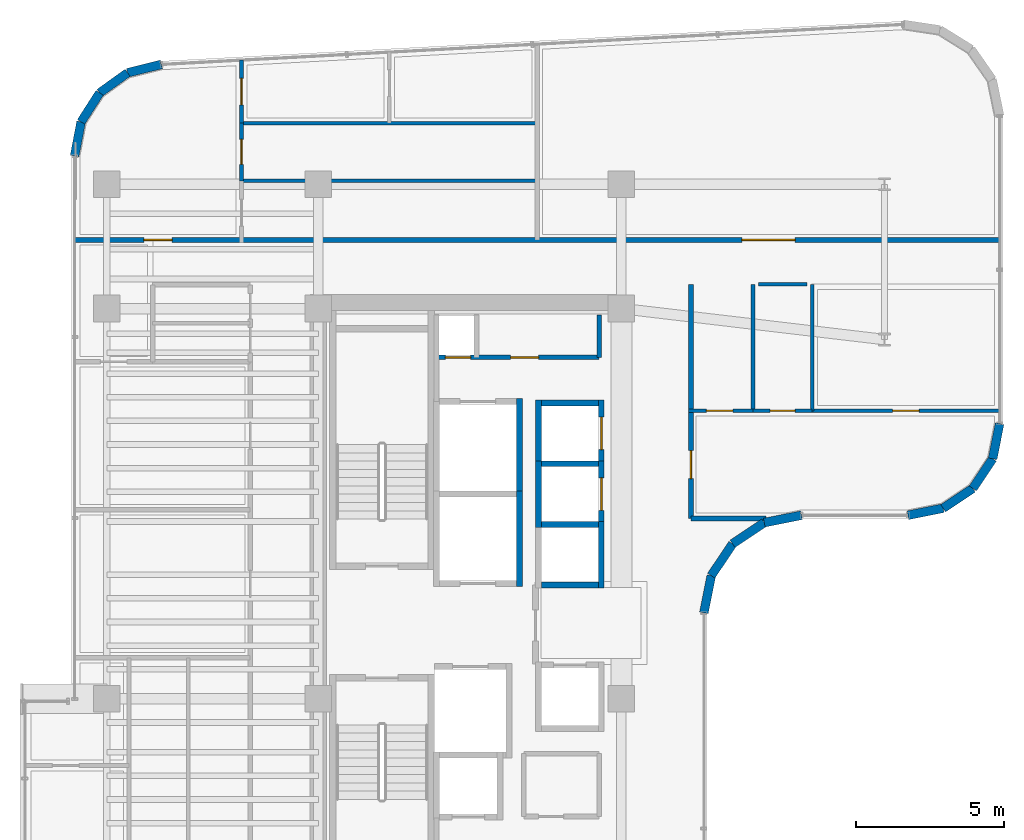
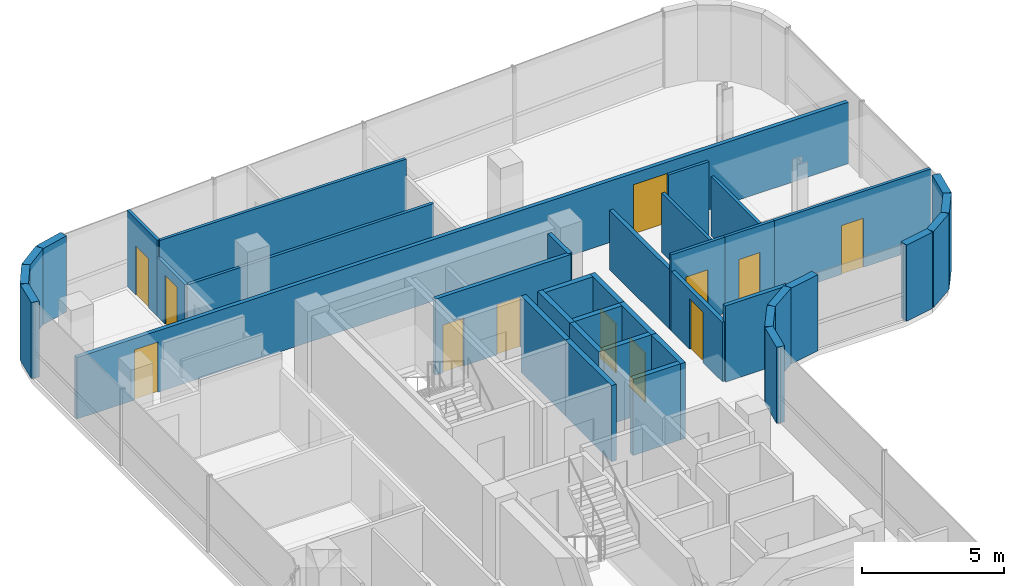
# One storey, part 20 of 24: 38 walls, 12 doors, 12 openings.
"""IFC4 building model written with IfcOpenShell, lengths in metres."""

from ifc_helpers import new_model, si_unit, direction, frame, frame_2d, origin, place, context, subcontext, project, spatial, rectangle, extrude, material, layer, layer_set, type_object, element, fill, save


model = new_model("IFC4")

# Units and contexts
model_context = context("Model", 3, precision=1e-05, world=origin(), true_north=direction((0.0, 1.0)))
body_context = subcontext(model_context, "Body", "Model", "MODEL_VIEW")
ifc_project = project(units=[si_unit("LENGTHUNIT", "METRE"), si_unit("AREAUNIT", "SQUARE_METRE"), si_unit("VOLUMEUNIT", "CUBIC_METRE"), si_unit("PLANEANGLEUNIT", "RADIAN"), si_unit("MASSUNIT", "GRAM", prefix="KILO")], contexts=[model_context])

# Site, building, storey
site_placement = place(None, origin())
site = spatial("IfcSite", under=ifc_project, at=site_placement, CompositionType="ELEMENT")
building_placement = place(site_placement, origin())
building = spatial("IfcBuilding", under=site, at=building_placement, Name="Valdorenza Pilgrim Sanctuary Tower", CompositionType="ELEMENT")
storey_placement = place(building_placement, frame((0.0, 0.0, 205.5)))
storey = spatial("IfcBuildingStorey", under=building, at=storey_placement, Name="L52", CompositionType="ELEMENT", Elevation=205.5)

# Wall, openings, doors
ifc_material_1 = material(Name="Acoustic twin-stud gypsum partition", Category="gypsum")
ifc_layer_1 = layer(ifc_material_1, 0.159912109375, Name="Acoustic twin-stud gypsum partition")
ifc_layer_set_1 = layer_set([ifc_layer_1], Name="Acoustic twin-stud gypsum partition")
wall_type_1 = type_object("IfcWallType", Name="WAL-COR-160", PredefinedType="PARTITIONING", material=ifc_layer_set_1)
wall_1_placement = place(storey_placement, frame((-18.64990234375, 8.949951171875, 0.0), z_axis=(0.0, 0.0, 1.0), x_axis=(1.0, 0.0, 0.0)))
wall_1 = element("IfcWall", 1, at=wall_1_placement, inside=storey, type_object=wall_type_1, Name="L52 Core A North Service South Wall", PredefinedType="PARTITIONING", context=body_context, shape_type="SweptSolid", body=[
    extrude(rectangle(XDim=5.5, YDim=0.159912109375, at=frame_2d((2.75, 0.0))), origin(), (0.0, 0.0, 1.0), 3.260009765625),
])
opening_1_placement = place(wall_1_placement, frame((0.300048828125, 0.0, 0.0)))
opening_1 = element("IfcOpeningElement", 2, at=opening_1_placement, cuts=wall_1, Name="Opening DR-RS1", PredefinedType="OPENING", context=body_context, shape_type="SweptSolid", body=[
    extrude(rectangle(XDim=0.85009765625, YDim=2.050048828125, at=frame_2d((0.425048828125, 1.02490234375))), frame((0.0, 0.0947265625, 0.0), z_axis=(0.0, -1.0, 0.0), x_axis=(1.0, 0.0, 0.0)), (0.0, 0.0, 1.0), 0.189697265625),
])
opening_2_placement = place(wall_1_placement, frame((2.5, 0.0, 0.0)))
opening_2 = element("IfcOpeningElement", 3, at=opening_2_placement, cuts=wall_1, Name="Opening DR-UN1", PredefinedType="OPENING", context=body_context, shape_type="SweptSolid", body=[
    extrude(rectangle(XDim=0.949951171875, YDim=2.14990234375, at=frame_2d((0.47509765625, 1.074951171875))), frame((0.0, 0.0947265625, 0.0), z_axis=(0.0, -1.0, 0.0), x_axis=(1.0, 0.0, 0.0)), (0.0, 0.0, 1.0), 0.189697265625),
])
ifc_material_2 = material(Name="Painted galvanized steel", Category="steel")
door_type_1 = type_object("IfcDoorType", Name="DR-RSR-850", OperationType="NOTDEFINED", PredefinedType="DOOR", material=ifc_material_2)
door_1_placement = place(opening_1_placement, origin())
door_1 = element("IfcDoor", 4, at=door_1_placement, inside=storey, type_object=door_type_1, Name="L52 Core Electrical and Telecom Riser Door", OperationType="SINGLE_SWING_LEFT", OverallHeight=2.050048828125, OverallWidth=0.85009765625, PredefinedType="DOOR", context=body_context, shape_type="SweptSolid", body=[
    extrude(rectangle(XDim=0.85009765625, YDim=2.050048828125, at=frame_2d((0.425048828125, 1.02490234375))), frame((0.0, 0.02490234375, 0.0), z_axis=(0.0, -1.0, 0.0), x_axis=(1.0, 0.0, 0.0)), (0.0, 0.0, 1.0), 0.050048828125),
])
fill(opening_1, door_1)
ifc_material_3 = material(Name="Solid-core European oak timber", Category="wood")
door_type_2 = type_object("IfcDoorType", Name="DR-UNIT-950", OperationType="NOTDEFINED", PredefinedType="DOOR", material=ifc_material_3)
door_2_placement = place(opening_2_placement, origin())
door_2 = element("IfcDoor", 5, at=door_2_placement, inside=storey, type_object=door_type_2, Name="L52 Housekeeping and Clean Linen Room Door", OperationType="SINGLE_SWING_RIGHT", OverallHeight=2.14990234375, OverallWidth=0.949951171875, PredefinedType="DOOR", context=body_context, shape_type="SweptSolid", body=[
    extrude(rectangle(XDim=0.949951171875, YDim=2.14990234375, at=frame_2d((0.47509765625, 1.074951171875))), frame((0.0, 0.02490234375, 0.0), z_axis=(0.0, -1.0, 0.0), x_axis=(1.0, 0.0, 0.0)), (0.0, 0.0, 1.0), 0.050048828125),
])
fill(opening_2, door_2)

# Wall
wall_2_placement = place(storey_placement, frame((-13.14990234375, 8.949951171875, 0.0), z_axis=(0.0, 0.0, 1.0), x_axis=(0.0, 1.0, 0.0)))
element("IfcWall", 6, at=wall_2_placement, inside=storey, type_object=wall_type_1, Name="L52 Core A North Service East Wall", PredefinedType="PARTITIONING", context=body_context, shape_type="SweptSolid", body=[
    extrude(rectangle(XDim=1.429931640625, YDim=0.159912109375, at=frame_2d((0.71484375, 0.0))), origin(), (0.0, 0.0, 1.0), 3.260009765625),
])

# Wall, openings, doors
wall_3_placement = place(storey_placement, frame((-30.889892578125, 12.919921875, 0.0), z_axis=(0.0, 0.0, 1.0), x_axis=(1.0, 0.0, 0.0)))
wall_3 = element("IfcWall", 7, at=wall_3_placement, inside=storey, type_object=wall_type_1, Name="L52 North Corridor Wall", PredefinedType="PARTITIONING", context=body_context, shape_type="SweptSolid", body=[
    extrude(rectangle(XDim=31.27978515625, YDim=0.159912109375, at=frame_2d((15.639892578125, 0.0))), origin(), (0.0, 0.0, 1.0), 2.634033203125),
])
opening_3_placement = place(wall_3_placement, frame((2.346923828125, 0.0, 0.0)))
opening_3 = element("IfcOpeningElement", 8, at=opening_3_placement, cuts=wall_3, Name="Opening DR-UN1", PredefinedType="OPENING", context=body_context, shape_type="SweptSolid", body=[
    extrude(rectangle(XDim=0.949951171875, YDim=2.14990234375, at=frame_2d((0.47509765625, 1.074951171875))), frame((0.0, 0.0947265625, 0.0), z_axis=(0.0, -1.0, 0.0), x_axis=(1.0, 0.0, 0.0)), (0.0, 0.0, 1.0), 0.189697265625),
])
opening_4_placement = place(wall_3_placement, frame((22.56005859375, 0.0, 0.0)))
opening_4 = element("IfcOpeningElement", 9, at=opening_4_placement, cuts=wall_3, Name="Opening DR-HL1", PredefinedType="OPENING", context=body_context, shape_type="SweptSolid", body=[
    extrude(rectangle(XDim=1.800048828125, YDim=2.14990234375, at=frame_2d((0.89990234375, 1.074951171875))), frame((0.0, 0.0947265625, 0.0), z_axis=(0.0, -1.0, 0.0), x_axis=(1.0, 0.0, 0.0)), (0.0, 0.0, 1.0), 0.189697265625),
])
ifc_material_4 = material(Name="Acoustic oak and vision-glass double door", Category="glass")
door_type_3 = type_object("IfcDoorType", Name="DR-HALL-1800", OperationType="NOTDEFINED", PredefinedType="DOOR", material=ifc_material_4)
door_3_placement = place(opening_4_placement, frame((1.800048828125, 0.0, 0.0), z_axis=(0.0, 0.0, 1.0), x_axis=(-1.0, 0.0, 0.0)))
door_3 = element("IfcDoor", 10, at=door_3_placement, inside=storey, type_object=door_type_3, Name="L52 Sacred Archive Reading Library L52-N2 Door", OperationType="DOUBLE_DOOR_SINGLE_SWING", OverallHeight=2.14990234375, OverallWidth=1.800048828125, PredefinedType="DOOR", context=body_context, shape_type="SweptSolid", body=[
    extrude(rectangle(XDim=1.800048828125, YDim=2.14990234375, at=frame_2d((0.89990234375, 1.074951171875))), frame((0.0, 0.02490234375, 0.0), z_axis=(0.0, -1.0, 0.0), x_axis=(1.0, 0.0, 0.0)), (0.0, 0.0, 1.0), 0.050048828125),
])
fill(opening_4, door_3)
door_4_placement = place(opening_3_placement, origin())
door_4 = element("IfcDoor", 11, at=door_4_placement, inside=storey, type_object=door_type_2, Name="L52 North Grand Residence L52-N1 Entrance Door", OperationType="SINGLE_SWING_RIGHT", OverallHeight=2.14990234375, OverallWidth=0.949951171875, PredefinedType="DOOR", context=body_context, shape_type="SweptSolid", body=[
    extrude(rectangle(XDim=0.949951171875, YDim=2.14990234375, at=frame_2d((0.47509765625, 1.074951171875))), frame((0.0, 0.02490234375, 0.0), z_axis=(0.0, -1.0, 0.0), x_axis=(1.0, 0.0, 0.0)), (0.0, 0.0, 1.0), 0.050048828125),
])
fill(opening_3, door_4)

# Wall, opening, door
wall_4_placement = place(storey_placement, frame((-10.050048828125, 3.5, 0.0), z_axis=(0.0, 0.0, 1.0), x_axis=(0.0, 1.0, 0.0)))
wall_4 = element("IfcWall", 12, at=wall_4_placement, inside=storey, type_object=wall_type_1, Name="L52 East Stub Corridor Wall", PredefinedType="PARTITIONING", context=body_context, shape_type="SweptSolid", body=[
    extrude(rectangle(XDim=7.919921875, YDim=0.159912109375, at=frame_2d((3.9599609375, 0.0))), origin(), (0.0, 0.0, 1.0), 2.5439453125),
])
opening_5_placement = place(wall_4_placement, frame((1.346923828125, 0.0, 0.0)))
opening_5 = element("IfcOpeningElement", 13, at=opening_5_placement, cuts=wall_4, Name="Opening DR-UN1", PredefinedType="OPENING", context=body_context, shape_type="SweptSolid", body=[
    extrude(rectangle(XDim=0.949951171875, YDim=2.14990234375, at=frame_2d((0.47509765625, 1.074951171875))), frame((0.0, 0.0947265625, 0.0), z_axis=(0.0, -1.0, 0.0), x_axis=(1.0, 0.0, 0.0)), (0.0, 0.0, 1.0), 0.189697265625),
])
door_5_placement = place(opening_5_placement, origin())
door_5 = element("IfcDoor", 14, at=door_5_placement, inside=storey, type_object=door_type_2, Name="L52 East Sanctuary Apartment L52-E1 Entrance Door", OperationType="SINGLE_SWING_RIGHT", OverallHeight=2.14990234375, OverallWidth=0.949951171875, PredefinedType="DOOR", context=body_context, shape_type="SweptSolid", body=[
    extrude(rectangle(XDim=0.949951171875, YDim=2.14990234375, at=frame_2d((0.47509765625, 1.074951171875))), frame((0.0, 0.02490234375, 0.0), z_axis=(0.0, -1.0, 0.0), x_axis=(1.0, 0.0, 0.0)), (0.0, 0.0, 1.0), 0.050048828125),
])
fill(opening_5, door_5)

# Walls
wall_5_placement = place(storey_placement, frame((-10.050048828125, 3.5, 0.0), z_axis=(0.0, 0.0, 1.0), x_axis=(1.0, 0.0, 0.0)))
element("IfcWall", 15, at=wall_5_placement, inside=storey, type_object=wall_type_1, Name="L52 East Stub South Wall", PredefinedType="PARTITIONING", context=body_context, shape_type="SweptSolid", body=[
    extrude(rectangle(XDim=2.545654296875, YDim=0.159912109375, at=frame_2d((1.27294921875, 0.0))), origin(), (0.0, 0.0, 1.0), 3.260009765625),
])
ifc_material_5 = material(Name="Honed travertine limestone", Category="masonry")
ifc_layer_2 = layer(ifc_material_5, 0.300048828125, Name="Honed travertine limestone")
ifc_layer_set_2 = layer_set([ifc_layer_2], Name="Honed travertine limestone")
wall_type_2 = type_object("IfcWallType", Name="WAL-EXT-300", PredefinedType="SOLIDWALL", material=ifc_layer_set_2)
wall_6_placement = place(storey_placement, frame((-30.889892578125, 15.757568359375, 0.0), z_axis=(0.0, 0.0, 1.0), x_axis=(0.18831542659, 0.982108598938, 0.0)))
element("IfcWall", 16, at=wall_6_placement, inside=storey, type_object=wall_type_2, Name="L52 Rounded Wind-Corner Stone Pier 2", PredefinedType="SOLIDWALL", context=body_context, shape_type="SweptSolid", body=[
    extrude(rectangle(XDim=1.174560546875, YDim=0.300048828125, at=frame_2d((0.58740234375, 0.0))), origin(), (0.0, 0.0, 1.0), 3.260009765625),
])
wall_7_placement = place(storey_placement, frame((-30.668701171875, 16.9111328125, 0.0), z_axis=(0.0, 0.0, 1.0), x_axis=(0.538678781902, 0.84251122837, 0.0)))
element("IfcWall", 17, at=wall_7_placement, inside=storey, type_object=wall_type_2, Name="L52 Rounded Wind-Corner Stone Pier 3", PredefinedType="SOLIDWALL", context=body_context, shape_type="SweptSolid", body=[
    extrude(rectangle(XDim=1.164306640625, YDim=0.300048828125, at=frame_2d((0.58203125, 0.0))), origin(), (0.0, 0.0, 1.0), 3.260009765625),
])
wall_8_placement = place(storey_placement, frame((-30.04150390625, 17.89208984375, 0.0), z_axis=(0.0, 0.0, 1.0), x_axis=(0.812313539683, 0.583220981487, 0.0)))
element("IfcWall", 18, at=wall_8_placement, inside=storey, type_object=wall_type_2, Name="L52 Rounded Wind-Corner Stone Pier 4", PredefinedType="SOLIDWALL", context=body_context, shape_type="SweptSolid", body=[
    extrude(rectangle(XDim=1.163818359375, YDim=0.300048828125, at=frame_2d((0.58203125, 0.0))), origin(), (0.0, 0.0, 1.0), 3.260009765625),
])
wall_9_placement = place(storey_placement, frame((-29.09619140625, 18.57080078125, 0.0), z_axis=(0.0, 0.0, 1.0), x_axis=(0.97050812798, 0.241068400098, 0.0)))
element("IfcWall", 19, at=wall_9_placement, inside=storey, type_object=wall_type_2, Name="L52 Rounded Wind-Corner Stone Pier 5", PredefinedType="SOLIDWALL", context=body_context, shape_type="SweptSolid", body=[
    extrude(rectangle(XDim=1.1748046875, YDim=0.300048828125, at=frame_2d((0.58740234375, 0.0))), origin(), (0.0, 0.0, 1.0), 3.260009765625),
])
wall_10_placement = place(storey_placement, frame((0.389892578125, 6.710693359375, 0.0), z_axis=(0.0, 0.0, 1.0), x_axis=(-0.194996050505, -0.980804027463, 0.0)))
element("IfcWall", 20, at=wall_10_placement, inside=storey, type_object=wall_type_2, Name="L52 Rounded Wind-Corner Stone Pier 12", PredefinedType="SOLIDWALL", context=body_context, shape_type="SweptSolid", body=[
    extrude(rectangle(XDim=1.2158203125, YDim=0.300048828125, at=frame_2d((0.60791015625, 0.0))), origin(), (0.0, 0.0, 1.0), 3.260009765625),
])
for number, where, z_axis, x_axis, name in (
    (21, (0.15283203125, 5.518310546875, 0.0), (0.0, 0.0, 1.0), (-0.555635100982, -0.831426265255, 0.0), "L52 Rounded Wind-Corner Stone Pier 13"),
    (22, (-0.5166015625, 4.5166015625, 0.0), (0.0, 0.0, 1.0), (-0.831426265255, -0.555635100982, 0.0), "L52 Rounded Wind-Corner Stone Pier 14"),
):
    element("IfcWall", number, at=place(storey_placement, frame(where, z_axis=z_axis, x_axis=x_axis)), inside=storey, type_object=wall_type_2, Name=name, PredefinedType="SOLIDWALL", context=body_context, shape_type="SweptSolid", body=[
        extrude(rectangle(XDim=1.204833984375, YDim=0.300048828125, at=frame_2d((0.6025390625, 0.0))), origin(), (0.0, 0.0, 1.0), 3.260009765625),
    ])
wall_11_placement = place(storey_placement, frame((-1.518310546875, 3.84716796875, 0.0), z_axis=(0.0, 0.0, 1.0), x_axis=(-0.980804027463, -0.194996050505, 0.0)))
element("IfcWall", 23, at=wall_11_placement, inside=storey, type_object=wall_type_2, Name="L52 Rounded Wind-Corner Stone Pier 15", PredefinedType="SOLIDWALL", context=body_context, shape_type="SweptSolid", body=[
    extrude(rectangle(XDim=1.2158203125, YDim=0.300048828125, at=frame_2d((0.60791015625, 0.0))), origin(), (0.0, 0.0, 1.0), 3.260009765625),
])
wall_12_placement = place(storey_placement, frame((-6.310791015625, 3.610107421875, 0.0), z_axis=(0.0, 0.0, 1.0), x_axis=(-0.980778058848, -0.195126623715, 0.0)))
element("IfcWall", 24, at=wall_12_placement, inside=storey, type_object=wall_type_2, Name="L52 Rounded Wind-Corner Stone Pier 17", PredefinedType="SOLIDWALL", context=body_context, shape_type="SweptSolid", body=[
    extrude(rectangle(XDim=1.28125, YDim=0.300048828125, at=frame_2d((0.640625, 0.0))), origin(), (0.0, 0.0, 1.0), 3.260009765625),
])
for number, where, z_axis, x_axis, name in (
    (25, (-7.5673828125, 3.360107421875, 0.0), (0.0, 0.0, 1.0), (-0.831497739511, -0.555528135371, 0.0), "L52 Rounded Wind-Corner Stone Pier 18"),
    (26, (-8.64208984375, 2.64208984375, 0.0), (0.0, 0.0, 1.0), (-0.555528135371, -0.831497739511, 0.0), "L52 Rounded Wind-Corner Stone Pier 19"),
):
    element("IfcWall", number, at=place(storey_placement, frame(where, z_axis=z_axis, x_axis=x_axis)), inside=storey, type_object=wall_type_2, Name=name, PredefinedType="SOLIDWALL", context=body_context, shape_type="SweptSolid", body=[
        extrude(rectangle(XDim=1.29248046875, YDim=0.300048828125, at=frame_2d((0.646240234375, 0.0))), origin(), (0.0, 0.0, 1.0), 3.260009765625),
    ])
wall_13_placement = place(storey_placement, frame((-9.360107421875, 1.5673828125, 0.0), z_axis=(0.0, 0.0, 1.0), x_axis=(-0.195126623715, -0.980778058848, 0.0)))
element("IfcWall", 27, at=wall_13_placement, inside=storey, type_object=wall_type_2, Name="L52 Rounded Wind-Corner Stone Pier 20", PredefinedType="SOLIDWALL", context=body_context, shape_type="SweptSolid", body=[
    extrude(rectangle(XDim=1.28125, YDim=0.300048828125, at=frame_2d((0.640625, 0.0))), origin(), (0.0, 0.0, 1.0), 3.260009765625),
])
ifc_material_6 = material(Name="Moisture-resistant gypsum partition", Category="gypsum")
ifc_layer_3 = layer(ifc_material_6, 0.1201171875, Name="Moisture-resistant gypsum partition")
ifc_layer_set_3 = layer_set([ifc_layer_3], Name="Moisture-resistant gypsum partition")
wall_type_3 = type_object("IfcWallType", Name="WAL-INT-120", PredefinedType="PARTITIONING", material=ifc_layer_set_3)
wall_14_placement = place(storey_placement, frame((-25.24560546875, 14.919921875, 0.0), z_axis=(0.0, 0.0, 1.0), x_axis=(1.0, 0.0, 0.0)))
element("IfcWall", 28, at=wall_14_placement, inside=storey, type_object=wall_type_3, Name="L52 North Grand Residence L52-N1 Bath-Kitchen Wall", PredefinedType="PARTITIONING", context=body_context, shape_type="SweptSolid", body=[
    extrude(rectangle(XDim=9.99560546875, YDim=0.1201171875, at=frame_2d((4.997802734375, 0.0))), origin(), (0.0, 0.0, 1.0), 2.5439453125),
])
wall_15_placement = place(storey_placement, frame((-25.24560546875, 16.8701171875, 0.0), z_axis=(0.0, 0.0, 1.0), x_axis=(1.0, 0.0, 0.0)))
element("IfcWall", 29, at=wall_15_placement, inside=storey, type_object=wall_type_3, Name="L52 North Grand Residence L52-N1 Kitchen-Bedroom Wall", PredefinedType="PARTITIONING", context=body_context, shape_type="SweptSolid", body=[
    extrude(rectangle(XDim=9.99560546875, YDim=0.1201171875, at=frame_2d((4.997802734375, 0.0))), origin(), (0.0, 0.0, 1.0), 3.260009765625),
])

# Wall, opening, door
wall_16_placement = place(storey_placement, frame((-25.24560546875, 14.919921875, 0.0), z_axis=(0.0, 0.0, 1.0), x_axis=(0.0, 1.0, 0.0)))
wall_16 = element("IfcWall", 30, at=wall_16_placement, inside=storey, type_object=wall_type_3, Name="L52 North Grand Residence L52-N1 Bathroom Door Wall", PredefinedType="PARTITIONING", context=body_context, shape_type="SweptSolid", body=[
    extrude(rectangle(XDim=1.9501953125, YDim=0.1201171875, at=frame_2d((0.97509765625, 0.0))), origin(), (0.0, 0.0, 1.0), 2.5439453125),
])
opening_6_placement = place(wall_16_placement, frame((0.550048828125, 0.0, 0.0)))
opening_6 = element("IfcOpeningElement", 31, at=opening_6_placement, cuts=wall_16, Name="Opening DR-WC1", PredefinedType="OPENING", context=body_context, shape_type="SweptSolid", body=[
    extrude(rectangle(XDim=0.85009765625, YDim=2.10009765625, at=frame_2d((0.425048828125, 1.050048828125))), frame((0.0, 0.074951171875, 0.0), z_axis=(0.0, -1.0, 0.0), x_axis=(1.0, 0.0, 0.0)), (0.0, 0.0, 1.0), 0.14990234375),
])
ifc_material_7 = material(Name="Moisture-resistant lacquered timber", Category="wood")
door_type_4 = type_object("IfcDoorType", Name="DR-BATH-850", OperationType="NOTDEFINED", PredefinedType="DOOR", material=ifc_material_7)
door_6_placement = place(opening_6_placement, origin())
door_6 = element("IfcDoor", 32, at=door_6_placement, inside=storey, type_object=door_type_4, Name="L52 North Grand Residence L52-N1 Bathroom Door", OperationType="SINGLE_SWING_LEFT", OverallHeight=2.10009765625, OverallWidth=0.85009765625, PredefinedType="DOOR", context=body_context, shape_type="SweptSolid", body=[
    extrude(rectangle(XDim=0.85009765625, YDim=2.10009765625, at=frame_2d((0.425048828125, 1.050048828125))), frame((0.0, 0.02490234375, 0.0), z_axis=(0.0, -1.0, 0.0), x_axis=(1.0, 0.0, 0.0)), (0.0, 0.0, 1.0), 0.050048828125),
])
fill(opening_6, door_6)

wall_17_placement = place(storey_placement, frame((-25.24560546875, 16.8701171875, 0.0), z_axis=(0.0, 0.0, 1.0), x_axis=(0.0, 1.0, 0.0)))
wall_17 = element("IfcWall", 33, at=wall_17_placement, inside=storey, type_object=wall_type_3, Name="L52 North Grand Residence L52-N1 Bedroom Door Wall", PredefinedType="PARTITIONING", context=body_context, shape_type="SweptSolid", body=[
    extrude(rectangle(XDim=2.13037109375, YDim=0.1201171875, at=frame_2d((1.065185546875, 0.0))), origin(), (0.0, 0.0, 1.0), 3.260009765625),
])
opening_7_placement = place(wall_17_placement, frame((0.614990234375, 0.0, 0.0)))
opening_7 = element("IfcOpeningElement", 34, at=opening_7_placement, cuts=wall_17, Name="Opening DR-RM1", PredefinedType="OPENING", context=body_context, shape_type="SweptSolid", body=[
    extrude(rectangle(XDim=0.89990234375, YDim=2.10009765625, at=frame_2d((0.449951171875, 1.050048828125))), frame((0.0, 0.074951171875, 0.0), z_axis=(0.0, -1.0, 0.0), x_axis=(1.0, 0.0, 0.0)), (0.0, 0.0, 1.0), 0.14990234375),
])
door_type_5 = type_object("IfcDoorType", Name="DR-ROOM-900", OperationType="NOTDEFINED", PredefinedType="DOOR", material=ifc_material_3)
door_7_placement = place(opening_7_placement, frame((0.89990234375, 0.0, 0.0), z_axis=(0.0, 0.0, 1.0), x_axis=(-1.0, 0.0, 0.0)))
door_7 = element("IfcDoor", 35, at=door_7_placement, inside=storey, type_object=door_type_5, Name="L52 North Grand Residence L52-N1 Bedroom 1 Door", OperationType="SINGLE_SWING_LEFT", OverallHeight=2.10009765625, OverallWidth=0.89990234375, PredefinedType="DOOR", context=body_context, shape_type="SweptSolid", body=[
    extrude(rectangle(XDim=0.89990234375, YDim=2.10009765625, at=frame_2d((0.449951171875, 1.050048828125))), frame((0.0, 0.02490234375, 0.0), z_axis=(0.0, -1.0, 0.0), x_axis=(1.0, 0.0, 0.0)), (0.0, 0.0, 1.0), 0.050048828125),
])
fill(opening_7, door_7)

# Walls
for number, where, z_axis, x_axis, name in (
    (36, (-7.949951171875, 7.143310546875, 0.0), (0.0, 0.0, 1.0), (0.0, 1.0, 0.0), "L52 East Sanctuary Apartment L52-E1 Bath-Kitchen Wall"),
    (37, (-5.949951171875, 7.143310546875, 0.0), (0.0, 0.0, 1.0), (0.0, 1.0, 0.0), "L52 East Sanctuary Apartment L52-E1 Kitchen-Bedroom Wall"),
):
    element("IfcWall", number, at=place(storey_placement, frame(where, z_axis=z_axis, x_axis=x_axis)), inside=storey, type_object=wall_type_3, Name=name, PredefinedType="PARTITIONING", context=body_context, shape_type="SweptSolid", body=[
        extrude(rectangle(XDim=4.276611328125, YDim=0.1201171875, at=frame_2d((2.13818359375, 0.0))), origin(), (0.0, 0.0, 1.0), 2.5439453125),
    ])

# Wall, opening, door
wall_18_placement = place(storey_placement, frame((-7.949951171875, 7.143310546875, 0.0), z_axis=(0.0, 0.0, 1.0), x_axis=(1.0, 0.0, 0.0)))
wall_18 = element("IfcWall", 38, at=wall_18_placement, inside=storey, type_object=wall_type_3, Name="L52 East Sanctuary Apartment L52-E1 Bathroom Door Wall", PredefinedType="PARTITIONING", context=body_context, shape_type="SweptSolid", body=[
    extrude(rectangle(XDim=2.0, YDim=0.1201171875, at=frame_2d((1.0, 0.0))), origin(), (0.0, 0.0, 1.0), 3.260009765625),
])
opening_8_placement = place(wall_18_placement, frame((0.574951171875, 0.0, 0.0)))
opening_8 = element("IfcOpeningElement", 39, at=opening_8_placement, cuts=wall_18, Name="Opening DR-WC1", PredefinedType="OPENING", context=body_context, shape_type="SweptSolid", body=[
    extrude(rectangle(XDim=0.85009765625, YDim=2.10009765625, at=frame_2d((0.425048828125, 1.050048828125))), frame((0.0, 0.074951171875, 0.0), z_axis=(0.0, -1.0, 0.0), x_axis=(1.0, 0.0, 0.0)), (0.0, 0.0, 1.0), 0.14990234375),
])
door_8_placement = place(opening_8_placement, origin())
door_8 = element("IfcDoor", 40, at=door_8_placement, inside=storey, type_object=door_type_4, Name="L52 East Sanctuary Apartment L52-E1 Bathroom Door", OperationType="SINGLE_SWING_LEFT", OverallHeight=2.10009765625, OverallWidth=0.85009765625, PredefinedType="DOOR", context=body_context, shape_type="SweptSolid", body=[
    extrude(rectangle(XDim=0.85009765625, YDim=2.10009765625, at=frame_2d((0.425048828125, 1.050048828125))), frame((0.0, 0.02490234375, 0.0), z_axis=(0.0, -1.0, 0.0), x_axis=(1.0, 0.0, 0.0)), (0.0, 0.0, 1.0), 0.050048828125),
])
fill(opening_8, door_8)

wall_19_placement = place(storey_placement, frame((-10.1298828125, 7.143310546875, 0.0), z_axis=(0.0, 0.0, 1.0), x_axis=(1.0, 0.0, 0.0)))
wall_19 = element("IfcWall", 41, at=wall_19_placement, inside=storey, type_object=wall_type_3, Name="L52 East Sanctuary Apartment L52-E1 Kitchen Door Wall", PredefinedType="PARTITIONING", context=body_context, shape_type="SweptSolid", body=[
    extrude(rectangle(XDim=2.179931640625, YDim=0.1201171875, at=frame_2d((1.08984375, 0.0))), origin(), (0.0, 0.0, 1.0), 3.260009765625),
])
opening_9_placement = place(wall_19_placement, frame((0.60009765625, 0.0, 0.0)))
opening_9 = element("IfcOpeningElement", 42, at=opening_9_placement, cuts=wall_19, Name="Opening DR-RM1", PredefinedType="OPENING", context=body_context, shape_type="SweptSolid", body=[
    extrude(rectangle(XDim=0.89990234375, YDim=2.10009765625, at=frame_2d((0.449951171875, 1.050048828125))), frame((0.0, 0.074951171875, 0.0), z_axis=(0.0, -1.0, 0.0), x_axis=(1.0, 0.0, 0.0)), (0.0, 0.0, 1.0), 0.14990234375),
])
door_9_placement = place(opening_9_placement, origin())
door_9 = element("IfcDoor", 43, at=door_9_placement, inside=storey, type_object=door_type_5, Name="L52 East Sanctuary Apartment L52-E1 Kitchen Door", OperationType="SINGLE_SWING_RIGHT", OverallHeight=2.10009765625, OverallWidth=0.89990234375, PredefinedType="DOOR", context=body_context, shape_type="SweptSolid", body=[
    extrude(rectangle(XDim=0.89990234375, YDim=2.10009765625, at=frame_2d((0.449951171875, 1.050048828125))), frame((0.0, 0.02490234375, 0.0), z_axis=(0.0, -1.0, 0.0), x_axis=(1.0, 0.0, 0.0)), (0.0, 0.0, 1.0), 0.050048828125),
])
fill(opening_9, door_9)

wall_20_placement = place(storey_placement, frame((-5.949951171875, 7.143310546875, 0.0), z_axis=(0.0, 0.0, 1.0), x_axis=(1.0, 0.0, 0.0)))
wall_20 = element("IfcWall", 44, at=wall_20_placement, inside=storey, type_object=wall_type_3, Name="L52 East Sanctuary Apartment L52-E1 Bedroom Door Wall", PredefinedType="PARTITIONING", context=body_context, shape_type="SweptSolid", body=[
    extrude(rectangle(XDim=6.33984375, YDim=0.1201171875, at=frame_2d((3.169921875, 0.0))), origin(), (0.0, 0.0, 1.0), 3.260009765625),
])
opening_10_placement = place(wall_20_placement, frame((2.719970703125, 0.0, 0.0)))
opening_10 = element("IfcOpeningElement", 45, at=opening_10_placement, cuts=wall_20, Name="Opening DR-RM1", PredefinedType="OPENING", context=body_context, shape_type="SweptSolid", body=[
    extrude(rectangle(XDim=0.89990234375, YDim=2.10009765625, at=frame_2d((0.449951171875, 1.050048828125))), frame((0.0, 0.074951171875, 0.0), z_axis=(0.0, -1.0, 0.0), x_axis=(1.0, 0.0, 0.0)), (0.0, 0.0, 1.0), 0.14990234375),
])
door_10_placement = place(opening_10_placement, frame((0.89990234375, 0.0, 0.0), z_axis=(0.0, 0.0, 1.0), x_axis=(-1.0, 0.0, 0.0)))
door_10 = element("IfcDoor", 46, at=door_10_placement, inside=storey, type_object=door_type_5, Name="L52 East Sanctuary Apartment L52-E1 Bedroom Door", OperationType="SINGLE_SWING_LEFT", OverallHeight=2.10009765625, OverallWidth=0.89990234375, PredefinedType="DOOR", context=body_context, shape_type="SweptSolid", body=[
    extrude(rectangle(XDim=0.89990234375, YDim=2.10009765625, at=frame_2d((0.449951171875, 1.050048828125))), frame((0.0, 0.02490234375, 0.0), z_axis=(0.0, -1.0, 0.0), x_axis=(1.0, 0.0, 0.0)), (0.0, 0.0, 1.0), 0.050048828125),
])
fill(opening_10, door_10)

# Walls
wall_21_placement = place(storey_placement, frame((-7.77001953125, 11.419921875, 0.0), z_axis=(0.0, 0.0, 1.0), x_axis=(1.0, 0.0, 0.0)))
element("IfcWall", 47, at=wall_21_placement, inside=storey, type_object=wall_type_3, Name="L52 ESTB-S1-BTH Enclosure Wall N", PredefinedType="PARTITIONING", context=body_context, shape_type="SweptSolid", body=[
    extrude(rectangle(XDim=1.64013671875, YDim=0.1201171875, at=frame_2d((0.820068359375, 0.0))), origin(), (0.0, 0.0, 1.0), 3.260009765625),
])
ifc_material_8 = material(Name="Autoclaved aerated concrete blockwork", Category="masonry")
ifc_layer_4 = layer(ifc_material_8, 0.199951171875, Name="Autoclaved aerated concrete blockwork")
ifc_layer_set_4 = layer_set([ifc_layer_4], Name="Autoclaved aerated concrete blockwork")
wall_type_4 = type_object("IfcWallType", Name="WAL-SHF-200", PredefinedType="MOVABLE", material=ifc_layer_set_4)
wall_22_placement = place(storey_placement, frame((-15.85009765625, 1.199951171875, 0.0), z_axis=(0.0, 0.0, 1.0), x_axis=(0.0, 1.0, 0.0)))
element("IfcWall", 48, at=wall_22_placement, inside=storey, type_object=wall_type_4, Name="L52 Lift FFL-01 Hoistway Wall East", PredefinedType="MOVABLE", context=body_context, shape_type="SweptSolid", body=[
    extrude(rectangle(XDim=3.22509765625, YDim=0.199951171875, at=frame_2d((1.612548828125, 0.0))), origin(), (0.0, 0.0, 1.0), 3.260009765625),
])
wall_23_placement = place(storey_placement, frame((-15.85009765625, 4.22509765625, 0.0), z_axis=(0.0, 0.0, 1.0), x_axis=(0.0, 1.0, 0.0)))
element("IfcWall", 49, at=wall_23_placement, inside=storey, type_object=wall_type_4, Name="L52 Lift SVL-01 Hoistway Wall East", PredefinedType="MOVABLE", context=body_context, shape_type="SweptSolid", body=[
    extrude(rectangle(XDim=3.324951171875, YDim=0.199951171875, at=frame_2d((1.66259765625, 0.0))), origin(), (0.0, 0.0, 1.0), 3.260009765625),
])
wall_24_placement = place(storey_placement, frame((-13.080078125, 1.14990234375, 0.0), z_axis=(0.0, 0.0, 1.0), x_axis=(0.0, 1.0, 0.0)))
element("IfcWall", 50, at=wall_24_placement, inside=storey, type_object=wall_type_4, Name="L52 Lift PL-06 Hoistway Wall East", PredefinedType="MOVABLE", context=body_context, shape_type="SweptSolid", body=[
    extrude(rectangle(XDim=2.25, YDim=0.199951171875, at=frame_2d((1.125, 0.0))), origin(), (0.0, 0.0, 1.0), 3.260009765625),
])
wall_25_placement = place(storey_placement, frame((-15.10009765625, 1.25, 0.0), z_axis=(0.0, 0.0, 1.0), x_axis=(1.0, 0.0, 0.0)))
element("IfcWall", 51, at=wall_25_placement, inside=storey, type_object=wall_type_4, Name="L52 Lift PL-06 Hoistway Wall South", PredefinedType="MOVABLE", context=body_context, shape_type="SweptSolid", body=[
    extrude(rectangle(XDim=1.920166015625, YDim=0.199951171875, at=frame_2d((0.9599609375, 0.0))), origin(), (0.0, 0.0, 1.0), 3.260009765625),
])
wall_26_placement = place(storey_placement, frame((-15.199951171875, 3.199951171875, 0.0), z_axis=(0.0, 0.0, 1.0), x_axis=(0.0, 1.0, 0.0)))
element("IfcWall", 52, at=wall_26_placement, inside=storey, type_object=wall_type_4, Name="L52 Lift PL-09 Hoistway Wall West", PredefinedType="MOVABLE", context=body_context, shape_type="SweptSolid", body=[
    extrude(rectangle(XDim=2.25, YDim=0.199951171875, at=frame_2d((1.125, 0.0))), origin(), (0.0, 0.0, 1.0), 3.260009765625),
])

# Wall, opening, door
wall_27_placement = place(storey_placement, frame((-13.080078125, 3.199951171875, 0.0), z_axis=(0.0, 0.0, 1.0), x_axis=(0.0, 1.0, 0.0)))
wall_27 = element("IfcWall", 53, at=wall_27_placement, inside=storey, type_object=wall_type_4, Name="L52 Lift PL-09 Hoistway Wall East", PredefinedType="MOVABLE", context=body_context, shape_type="SweptSolid", body=[
    extrude(rectangle(XDim=2.25, YDim=0.199951171875, at=frame_2d((1.125, 0.0))), origin(), (0.0, 0.0, 1.0), 3.260009765625),
])
opening_11_placement = place(wall_27_placement, frame((0.574951171875, 0.0, 0.0)))
opening_11 = element("IfcOpeningElement", 54, at=opening_11_placement, cuts=wall_27, Name="Opening LD-01", PredefinedType="OPENING", context=body_context, shape_type="SweptSolid", body=[
    extrude(rectangle(XDim=1.10009765625, YDim=2.10009765625, at=frame_2d((0.550048828125, 1.050048828125))), frame((0.0, 0.11474609375, 0.0), z_axis=(0.0, -1.0, 0.0), x_axis=(1.0, 0.0, 0.0)), (0.0, 0.0, 1.0), 0.229736328125),
])
ifc_material_9 = material(Name="Brushed stainless steel Grade 316", Category="steel")
door_type_6 = type_object("IfcDoorType", Name="DR-LFT-1100", OperationType="DOUBLE_DOOR_SLIDING", PredefinedType="DOOR", material=ifc_material_9)
door_11_placement = place(opening_11_placement, origin())
door_11 = element("IfcDoor", 55, at=door_11_placement, inside=storey, type_object=door_type_6, Name="L52 Lift PL-09 Sliding Landing Door", OperationType="DOUBLE_DOOR_SLIDING", OverallHeight=2.10009765625, OverallWidth=1.10009765625, PredefinedType="DOOR", context=body_context, shape_type="SweptSolid", body=[
    extrude(rectangle(XDim=1.10009765625, YDim=2.10009765625, at=frame_2d((0.550048828125, 1.050048828125))), frame((0.0, 0.02490234375, 0.0), z_axis=(0.0, -1.0, 0.0), x_axis=(1.0, 0.0, 0.0)), (0.0, 0.0, 1.0), 0.050048828125),
])
fill(opening_11, door_11)

# Walls
for number, where, z_axis, x_axis, name in (
    (56, (-15.10009765625, 3.300048828125, 0.0), (0.0, 0.0, 1.0), (1.0, 0.0, 0.0), "L52 Lift PL-09 Hoistway Wall South"),
    (57, (-15.10009765625, 5.35009765625, 0.0), (0.0, 0.0, 1.0), (1.0, 0.0, 0.0), "L52 Lift PL-09 Hoistway Wall North"),
):
    element("IfcWall", number, at=place(storey_placement, frame(where, z_axis=z_axis, x_axis=x_axis)), inside=storey, type_object=wall_type_4, Name=name, PredefinedType="MOVABLE", context=body_context, shape_type="SweptSolid", body=[
        extrude(rectangle(XDim=1.920166015625, YDim=0.199951171875, at=frame_2d((0.9599609375, 0.0))), origin(), (0.0, 0.0, 1.0), 3.260009765625),
    ])
wall_28_placement = place(storey_placement, frame((-15.199951171875, 5.25, 0.0), z_axis=(0.0, 0.0, 1.0), x_axis=(0.0, 1.0, 0.0)))
element("IfcWall", 58, at=wall_28_placement, inside=storey, type_object=wall_type_4, Name="L52 Lift PL-10 Hoistway Wall West", PredefinedType="MOVABLE", context=body_context, shape_type="SweptSolid", body=[
    extrude(rectangle(XDim=2.25, YDim=0.199951171875, at=frame_2d((1.125, 0.0))), origin(), (0.0, 0.0, 1.0), 3.260009765625),
])

# Wall, opening, door
wall_29_placement = place(storey_placement, frame((-13.080078125, 5.25, 0.0), z_axis=(0.0, 0.0, 1.0), x_axis=(0.0, 1.0, 0.0)))
wall_29 = element("IfcWall", 59, at=wall_29_placement, inside=storey, type_object=wall_type_4, Name="L52 Lift PL-10 Hoistway Wall East", PredefinedType="MOVABLE", context=body_context, shape_type="SweptSolid", body=[
    extrude(rectangle(XDim=2.25, YDim=0.199951171875, at=frame_2d((1.125, 0.0))), origin(), (0.0, 0.0, 1.0), 3.260009765625),
])
opening_12_placement = place(wall_29_placement, frame((0.574951171875, 0.0, 0.0)))
opening_12 = element("IfcOpeningElement", 60, at=opening_12_placement, cuts=wall_29, Name="Opening LD-01", PredefinedType="OPENING", context=body_context, shape_type="SweptSolid", body=[
    extrude(rectangle(XDim=1.10009765625, YDim=2.10009765625, at=frame_2d((0.550048828125, 1.050048828125))), frame((0.0, 0.11474609375, 0.0), z_axis=(0.0, -1.0, 0.0), x_axis=(1.0, 0.0, 0.0)), (0.0, 0.0, 1.0), 0.229736328125),
])
door_12_placement = place(opening_12_placement, origin())
door_12 = element("IfcDoor", 61, at=door_12_placement, inside=storey, type_object=door_type_6, Name="L52 Lift PL-10 Sliding Landing Door", OperationType="DOUBLE_DOOR_SLIDING", OverallHeight=2.10009765625, OverallWidth=1.10009765625, PredefinedType="DOOR", context=body_context, shape_type="SweptSolid", body=[
    extrude(rectangle(XDim=1.10009765625, YDim=2.10009765625, at=frame_2d((0.550048828125, 1.050048828125))), frame((0.0, 0.02490234375, 0.0), z_axis=(0.0, -1.0, 0.0), x_axis=(1.0, 0.0, 0.0)), (0.0, 0.0, 1.0), 0.050048828125),
])
fill(opening_12, door_12)

# Wall
wall_30_placement = place(storey_placement, frame((-15.10009765625, 7.39990234375, 0.0), z_axis=(0.0, 0.0, 1.0), x_axis=(1.0, 0.0, 0.0)))
element("IfcWall", 62, at=wall_30_placement, inside=storey, type_object=wall_type_4, Name="L52 Lift PL-10 Hoistway Wall North", PredefinedType="MOVABLE", context=body_context, shape_type="SweptSolid", body=[
    extrude(rectangle(XDim=1.920166015625, YDim=0.199951171875, at=frame_2d((0.9599609375, 0.0))), origin(), (0.0, 0.0, 1.0), 3.260009765625),
])

save(model, "model.ifc")
